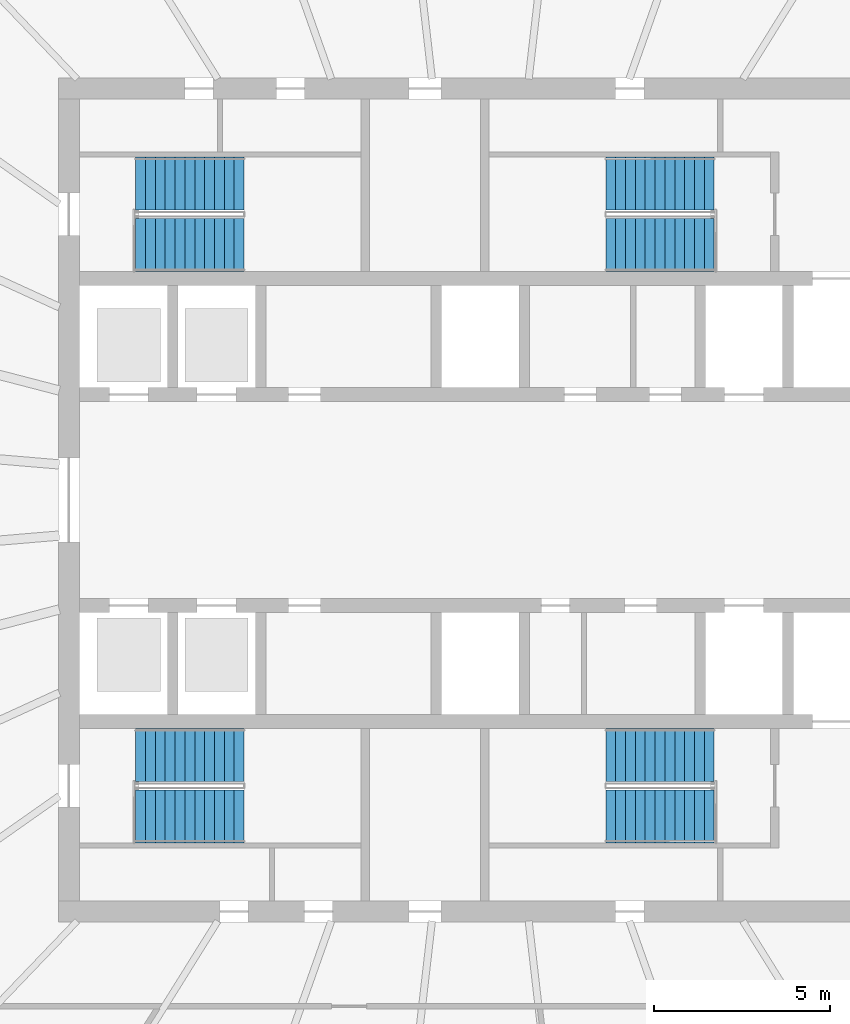
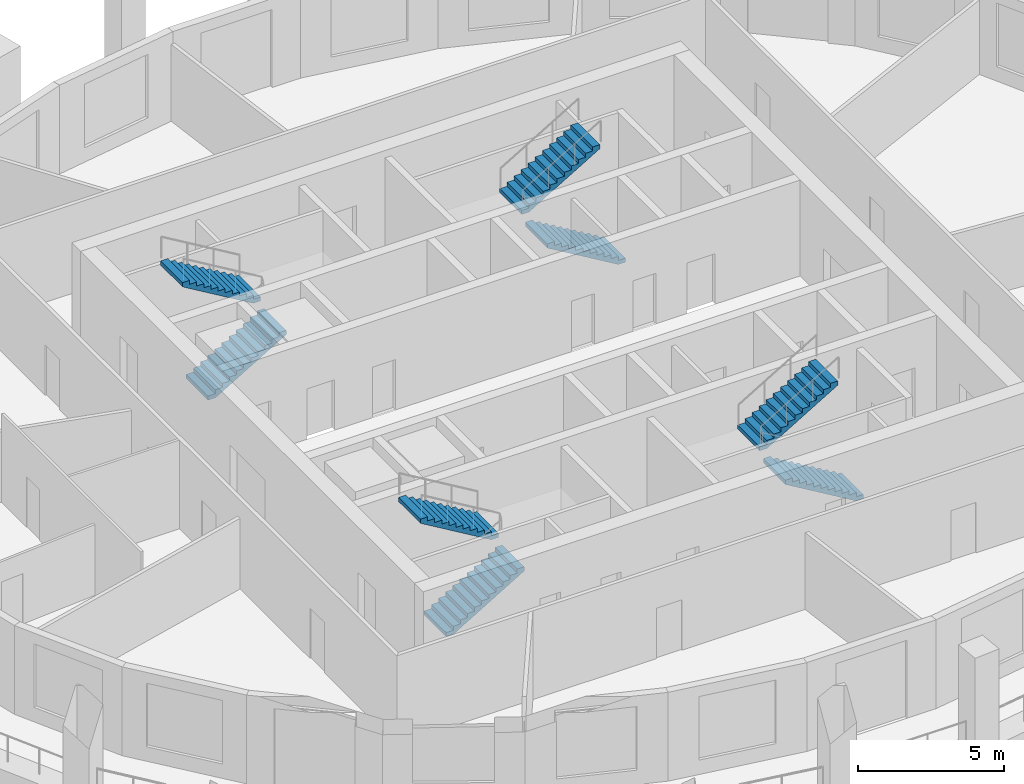
# One storey, part 7 of 10: 8 stair flights, 4 elements without a shape of their own.
"""IFC4 building model written with IfcOpenShell, lengths in metres."""

from ifc_helpers import new_model, si_unit, direction, frame, origin, place, context, subcontext, project, spatial, polyline, outline, extrude, material, type_object, element, aggregate, save


model = new_model("IFC4")

# Units and contexts
model_context = context("Model", 3, precision=1e-05, world=origin(), true_north=direction((0.0, 1.0)))
body_context = subcontext(model_context, "Body", "Model", "MODEL_VIEW")
ifc_project = project(units=[si_unit("LENGTHUNIT", "METRE"), si_unit("AREAUNIT", "SQUARE_METRE"), si_unit("VOLUMEUNIT", "CUBIC_METRE"), si_unit("PLANEANGLEUNIT", "RADIAN"), si_unit("MASSUNIT", "GRAM", prefix="KILO")], contexts=[model_context])

# Site, building, storey
site_placement = place(None, origin())
site = spatial("IfcSite", under=ifc_project, at=site_placement, CompositionType="ELEMENT")
building_placement = place(site_placement, origin())
building = spatial("IfcBuilding", under=site, at=building_placement, Name="Halqa Exchange Tower", CompositionType="ELEMENT")
storey_placement = place(building_placement, frame((0.0, 0.0, 316.300048828125)))
storey = spatial("IfcBuildingStorey", under=building, at=storey_placement, Name="L74", CompositionType="ELEMENT", Elevation=316.300048828125)

# Stair, stair flights
ifc_material = material(Name="Concrete C30/37", Category="concrete")
stair_type = type_object("IfcStairType", Name="Exit stair 1500 wide", PredefinedType="HALF_TURN_STAIR", material=ifc_material)
stair_1_placement = place(storey_placement, origin())
stair_1 = element("IfcStair", 1, at=stair_1_placement, inside=storey, type_object=stair_type, Name="Exit stair ST1", PredefinedType="HALF_TURN_STAIR")
stair_flight_type = type_object("IfcStairFlightType", Name="Stair flight 1500 wide", PredefinedType="STRAIGHT", material=ifc_material)
stair_flight_1_placement = place(storey_placement, frame((-9.800048828125, 7.25, 0.0), z_axis=(0.0, 0.0, 1.0), x_axis=(1.0, 0.0, 0.0)))
stair_flight_1 = element("IfcStairFlight", 2, at=stair_flight_1_placement, type_object=stair_flight_type, Name="ST1 flight 1", NumberOfRisers=12, NumberOfTreads=11, PredefinedType="STRAIGHT", RiserHeight=0.166666667, TreadLength=0.28, context=body_context, shape_type="SweptSolid", body=[
    extrude(outline(polyline([(0.0, 0.0), (0.0, 0.166748046875), (0.280029296875, 0.166748046875), (0.280029296875, 0.333251953125), (0.56005859375, 0.333251953125), (0.56005859375, 0.5), (0.840087890625, 0.5), (0.840087890625, 0.666748046875), (1.1201171875, 0.666748046875), (1.1201171875, 0.833251953125), (1.39990234375, 0.833251953125), (1.39990234375, 1.0), (1.679931640625, 1.0), (1.679931640625, 1.166748046875), (1.9599609375, 1.166748046875), (1.9599609375, 1.333251953125), (2.239990234375, 1.333251953125), (2.239990234375, 1.5), (2.52001953125, 1.5), (2.52001953125, 1.666748046875), (2.800048828125, 1.666748046875), (2.800048828125, 1.833251953125), (3.080078125, 1.833251953125), (3.080078125, 2.0), (3.080078125, 1.658935546875), (0.29296875, 0.0), (0.0, 0.0)])), frame((0.0, 0.75, 0.0), z_axis=(0.0, -1.0, 0.0), x_axis=(1.0, 0.0, 0.0)), (0.0, 0.0, 1.0), 1.5),
])
stair_flight_2_placement = place(storey_placement, frame((-6.719970703125, 9.0, 2.0), z_axis=(0.0, 0.0, 1.0), x_axis=(-1.0, 0.0, 0.0)))
stair_flight_2 = element("IfcStairFlight", 3, at=stair_flight_2_placement, type_object=stair_flight_type, Name="ST1 flight 2", NumberOfRisers=12, NumberOfTreads=11, PredefinedType="STRAIGHT", RiserHeight=0.166666667, TreadLength=0.28, context=body_context, shape_type="SweptSolid", body=[
    extrude(outline(polyline([(0.0, 0.0), (0.0, 0.166748046875), (0.280029296875, 0.166748046875), (0.280029296875, 0.333251953125), (0.56005859375, 0.333251953125), (0.56005859375, 0.5), (0.840087890625, 0.5), (0.840087890625, 0.666748046875), (1.1201171875, 0.666748046875), (1.1201171875, 0.833251953125), (1.39990234375, 0.833251953125), (1.39990234375, 1.0), (1.679931640625, 1.0), (1.679931640625, 1.166748046875), (1.9599609375, 1.166748046875), (1.9599609375, 1.333251953125), (2.239990234375, 1.333251953125), (2.239990234375, 1.5), (2.52001953125, 1.5), (2.52001953125, 1.666748046875), (2.800048828125, 1.666748046875), (2.800048828125, 1.833251953125), (3.080078125, 1.833251953125), (3.080078125, 2.0), (3.080078125, 1.658935546875), (0.29296875, 0.0), (0.0, 0.0)])), frame((0.0, 0.75, 0.0), z_axis=(0.0, -1.0, 0.0), x_axis=(1.0, 0.0, 0.0)), (0.0, 0.0, 1.0), 1.5),
])
aggregate(stair_1, [stair_flight_1, stair_flight_2])

stair_2_placement = place(storey_placement, origin())
stair_2 = element("IfcStair", 4, at=stair_2_placement, inside=storey, type_object=stair_type, Name="Exit stair ST2", PredefinedType="HALF_TURN_STAIR")
stair_flight_3_placement = place(storey_placement, frame((6.64990234375, 7.25, 0.0), z_axis=(0.0, 0.0, 1.0), x_axis=(-1.0, 0.0, 0.0)))
stair_flight_3 = element("IfcStairFlight", 5, at=stair_flight_3_placement, type_object=stair_flight_type, Name="ST2 flight 1", NumberOfRisers=12, NumberOfTreads=11, PredefinedType="STRAIGHT", RiserHeight=0.166666667, TreadLength=0.28, context=body_context, shape_type="SweptSolid", body=[
    extrude(outline(polyline([(0.0, 0.0), (0.0, 0.166748046875), (0.280029296875, 0.166748046875), (0.280029296875, 0.333251953125), (0.56005859375, 0.333251953125), (0.56005859375, 0.5), (0.840087890625, 0.5), (0.840087890625, 0.666748046875), (1.1201171875, 0.666748046875), (1.1201171875, 0.833251953125), (1.39990234375, 0.833251953125), (1.39990234375, 1.0), (1.679931640625, 1.0), (1.679931640625, 1.166748046875), (1.9599609375, 1.166748046875), (1.9599609375, 1.333251953125), (2.239990234375, 1.333251953125), (2.239990234375, 1.5), (2.52001953125, 1.5), (2.52001953125, 1.666748046875), (2.800048828125, 1.666748046875), (2.800048828125, 1.833251953125), (3.080078125, 1.833251953125), (3.080078125, 2.0), (3.080078125, 1.658935546875), (0.29296875, 0.0), (0.0, 0.0)])), frame((0.0, 0.75, 0.0), z_axis=(0.0, -1.0, 0.0), x_axis=(1.0, 0.0, 0.0)), (0.0, 0.0, 1.0), 1.5),
])
stair_flight_4_placement = place(storey_placement, frame((3.570068359375, 9.0, 2.0), z_axis=(0.0, 0.0, 1.0), x_axis=(1.0, 0.0, 0.0)))
stair_flight_4 = element("IfcStairFlight", 6, at=stair_flight_4_placement, type_object=stair_flight_type, Name="ST2 flight 2", NumberOfRisers=12, NumberOfTreads=11, PredefinedType="STRAIGHT", RiserHeight=0.166666667, TreadLength=0.28, context=body_context, shape_type="SweptSolid", body=[
    extrude(outline(polyline([(0.0, 0.0), (0.0, 0.166748046875), (0.280029296875, 0.166748046875), (0.280029296875, 0.333251953125), (0.56005859375, 0.333251953125), (0.56005859375, 0.5), (0.840087890625, 0.5), (0.840087890625, 0.666748046875), (1.1201171875, 0.666748046875), (1.1201171875, 0.833251953125), (1.39990234375, 0.833251953125), (1.39990234375, 1.0), (1.679931640625, 1.0), (1.679931640625, 1.166748046875), (1.9599609375, 1.166748046875), (1.9599609375, 1.333251953125), (2.239990234375, 1.333251953125), (2.239990234375, 1.5), (2.52001953125, 1.5), (2.52001953125, 1.666748046875), (2.800048828125, 1.666748046875), (2.800048828125, 1.833251953125), (3.080078125, 1.833251953125), (3.080078125, 2.0), (3.080078125, 1.658935546875), (0.29296875, 0.0), (0.0, 0.0)])), frame((0.0, 0.75, 0.0), z_axis=(0.0, -1.0, 0.0), x_axis=(1.0, 0.0, 0.0)), (0.0, 0.0, 1.0), 1.5),
])
aggregate(stair_2, [stair_flight_3, stair_flight_4])

stair_3_placement = place(storey_placement, origin())
stair_3 = element("IfcStair", 7, at=stair_3_placement, inside=storey, type_object=stair_type, Name="Exit stair ST3", PredefinedType="HALF_TURN_STAIR")
stair_flight_5_placement = place(storey_placement, frame((-9.800048828125, -9.0, 0.0), z_axis=(0.0, 0.0, 1.0), x_axis=(1.0, 0.0, 0.0)))
stair_flight_5 = element("IfcStairFlight", 8, at=stair_flight_5_placement, type_object=stair_flight_type, Name="ST3 flight 1", NumberOfRisers=12, NumberOfTreads=11, PredefinedType="STRAIGHT", RiserHeight=0.166666667, TreadLength=0.28, context=body_context, shape_type="SweptSolid", body=[
    extrude(outline(polyline([(0.0, 0.0), (0.0, 0.166748046875), (0.280029296875, 0.166748046875), (0.280029296875, 0.333251953125), (0.56005859375, 0.333251953125), (0.56005859375, 0.5), (0.840087890625, 0.5), (0.840087890625, 0.666748046875), (1.1201171875, 0.666748046875), (1.1201171875, 0.833251953125), (1.39990234375, 0.833251953125), (1.39990234375, 1.0), (1.679931640625, 1.0), (1.679931640625, 1.166748046875), (1.9599609375, 1.166748046875), (1.9599609375, 1.333251953125), (2.239990234375, 1.333251953125), (2.239990234375, 1.5), (2.52001953125, 1.5), (2.52001953125, 1.666748046875), (2.800048828125, 1.666748046875), (2.800048828125, 1.833251953125), (3.080078125, 1.833251953125), (3.080078125, 2.0), (3.080078125, 1.658935546875), (0.29296875, 0.0), (0.0, 0.0)])), frame((0.0, 0.75, 0.0), z_axis=(0.0, -1.0, 0.0), x_axis=(1.0, 0.0, 0.0)), (0.0, 0.0, 1.0), 1.5),
])
stair_flight_6_placement = place(storey_placement, frame((-6.719970703125, -7.25, 2.0), z_axis=(0.0, 0.0, 1.0), x_axis=(-1.0, 0.0, 0.0)))
stair_flight_6 = element("IfcStairFlight", 9, at=stair_flight_6_placement, type_object=stair_flight_type, Name="ST3 flight 2", NumberOfRisers=12, NumberOfTreads=11, PredefinedType="STRAIGHT", RiserHeight=0.166666667, TreadLength=0.28, context=body_context, shape_type="SweptSolid", body=[
    extrude(outline(polyline([(0.0, 0.0), (0.0, 0.166748046875), (0.280029296875, 0.166748046875), (0.280029296875, 0.333251953125), (0.56005859375, 0.333251953125), (0.56005859375, 0.5), (0.840087890625, 0.5), (0.840087890625, 0.666748046875), (1.1201171875, 0.666748046875), (1.1201171875, 0.833251953125), (1.39990234375, 0.833251953125), (1.39990234375, 1.0), (1.679931640625, 1.0), (1.679931640625, 1.166748046875), (1.9599609375, 1.166748046875), (1.9599609375, 1.333251953125), (2.239990234375, 1.333251953125), (2.239990234375, 1.5), (2.52001953125, 1.5), (2.52001953125, 1.666748046875), (2.800048828125, 1.666748046875), (2.800048828125, 1.833251953125), (3.080078125, 1.833251953125), (3.080078125, 2.0), (3.080078125, 1.658935546875), (0.29296875, 0.0), (0.0, 0.0)])), frame((0.0, 0.75, 0.0), z_axis=(0.0, -1.0, 0.0), x_axis=(1.0, 0.0, 0.0)), (0.0, 0.0, 1.0), 1.5),
])
aggregate(stair_3, [stair_flight_5, stair_flight_6])

stair_4_placement = place(storey_placement, origin())
stair_4 = element("IfcStair", 10, at=stair_4_placement, inside=storey, type_object=stair_type, Name="Exit stair ST4", PredefinedType="HALF_TURN_STAIR")
stair_flight_7_placement = place(storey_placement, frame((6.64990234375, -9.0, 0.0), z_axis=(0.0, 0.0, 1.0), x_axis=(-1.0, 0.0, 0.0)))
stair_flight_7 = element("IfcStairFlight", 11, at=stair_flight_7_placement, type_object=stair_flight_type, Name="ST4 flight 1", NumberOfRisers=12, NumberOfTreads=11, PredefinedType="STRAIGHT", RiserHeight=0.166666667, TreadLength=0.28, context=body_context, shape_type="SweptSolid", body=[
    extrude(outline(polyline([(0.0, 0.0), (0.0, 0.166748046875), (0.280029296875, 0.166748046875), (0.280029296875, 0.333251953125), (0.56005859375, 0.333251953125), (0.56005859375, 0.5), (0.840087890625, 0.5), (0.840087890625, 0.666748046875), (1.1201171875, 0.666748046875), (1.1201171875, 0.833251953125), (1.39990234375, 0.833251953125), (1.39990234375, 1.0), (1.679931640625, 1.0), (1.679931640625, 1.166748046875), (1.9599609375, 1.166748046875), (1.9599609375, 1.333251953125), (2.239990234375, 1.333251953125), (2.239990234375, 1.5), (2.52001953125, 1.5), (2.52001953125, 1.666748046875), (2.800048828125, 1.666748046875), (2.800048828125, 1.833251953125), (3.080078125, 1.833251953125), (3.080078125, 2.0), (3.080078125, 1.658935546875), (0.29296875, 0.0), (0.0, 0.0)])), frame((0.0, 0.75, 0.0), z_axis=(0.0, -1.0, 0.0), x_axis=(1.0, 0.0, 0.0)), (0.0, 0.0, 1.0), 1.5),
])
stair_flight_8_placement = place(storey_placement, frame((3.570068359375, -7.25, 2.0), z_axis=(0.0, 0.0, 1.0), x_axis=(1.0, 0.0, 0.0)))
stair_flight_8 = element("IfcStairFlight", 12, at=stair_flight_8_placement, type_object=stair_flight_type, Name="ST4 flight 2", NumberOfRisers=12, NumberOfTreads=11, PredefinedType="STRAIGHT", RiserHeight=0.166666667, TreadLength=0.28, context=body_context, shape_type="SweptSolid", body=[
    extrude(outline(polyline([(0.0, 0.0), (0.0, 0.166748046875), (0.280029296875, 0.166748046875), (0.280029296875, 0.333251953125), (0.56005859375, 0.333251953125), (0.56005859375, 0.5), (0.840087890625, 0.5), (0.840087890625, 0.666748046875), (1.1201171875, 0.666748046875), (1.1201171875, 0.833251953125), (1.39990234375, 0.833251953125), (1.39990234375, 1.0), (1.679931640625, 1.0), (1.679931640625, 1.166748046875), (1.9599609375, 1.166748046875), (1.9599609375, 1.333251953125), (2.239990234375, 1.333251953125), (2.239990234375, 1.5), (2.52001953125, 1.5), (2.52001953125, 1.666748046875), (2.800048828125, 1.666748046875), (2.800048828125, 1.833251953125), (3.080078125, 1.833251953125), (3.080078125, 2.0), (3.080078125, 1.658935546875), (0.29296875, 0.0), (0.0, 0.0)])), frame((0.0, 0.75, 0.0), z_axis=(0.0, -1.0, 0.0), x_axis=(1.0, 0.0, 0.0)), (0.0, 0.0, 1.0), 1.5),
])
aggregate(stair_4, [stair_flight_7, stair_flight_8])

save(model, "model.ifc")
